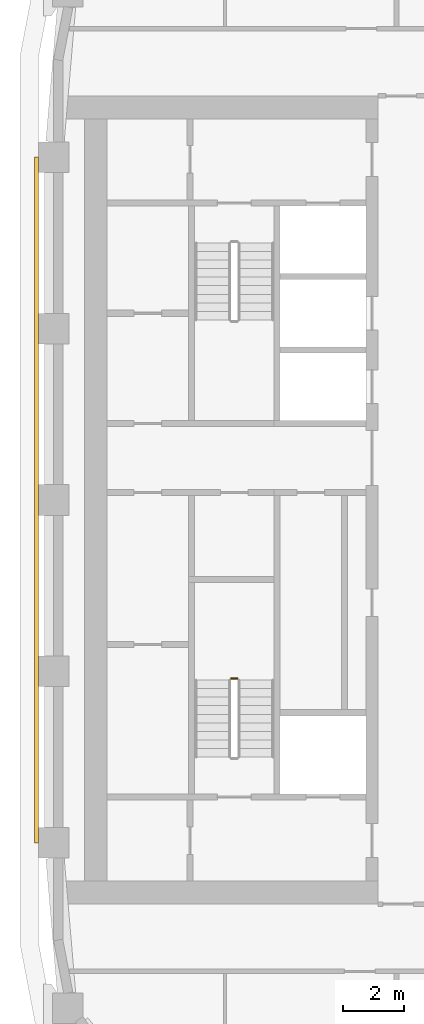
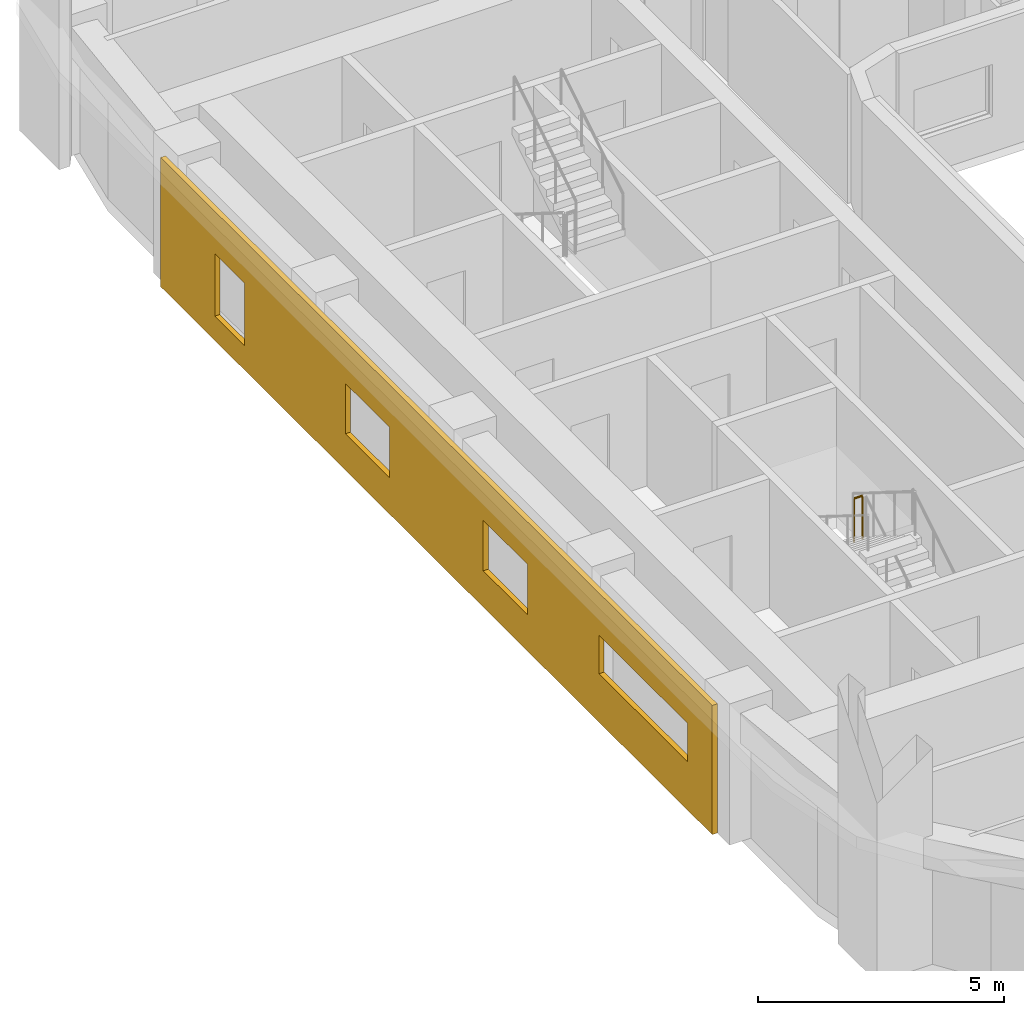
# One storey, part 13 of 22: 1 covering, 1 railing.
"""IFC4 building model written with IfcOpenShell, lengths in metres."""

from ifc_helpers import new_model, si_unit, direction, frame, origin, origin_2d, place, context, subcontext, project, spatial, polyline, circle, outline, extrude, material, layer, layer_set, type_object, element, save


model = new_model("IFC4")

# Units and contexts
model_context = context("Model", 3, precision=1e-05, world=origin(), true_north=direction((0.0, 1.0)))
body_context = subcontext(model_context, "Body", "Model", "MODEL_VIEW")
ifc_project = project(units=[si_unit("LENGTHUNIT", "METRE"), si_unit("AREAUNIT", "SQUARE_METRE"), si_unit("VOLUMEUNIT", "CUBIC_METRE"), si_unit("PLANEANGLEUNIT", "RADIAN"), si_unit("MASSUNIT", "GRAM", prefix="KILO")], contexts=[model_context])

# Site, building, storey
site_placement = place(None, origin())
site = spatial("IfcSite", under=ifc_project, at=site_placement, CompositionType="ELEMENT")
building_placement = place(site_placement, origin())
building = spatial("IfcBuilding", under=site, at=building_placement, Name="Kiln Ring Residences", CompositionType="ELEMENT")
storey_placement = place(building_placement, frame((0.0, 0.0, 160.60009765625)))
storey = spatial("IfcBuildingStorey", under=building, at=storey_placement, Name="L41", CompositionType="ELEMENT", Elevation=160.60009765625)

# Railing
ifc_material_1 = material(Name="Stainless steel", Category="steel")
railing_type = type_object("IfcRailingType", Name="CORE-STAIR-GUARD", PredefinedType="GUARDRAIL", material=ifc_material_1)
railing_placement = place(storey_placement, frame((-22.0, -5.830078125, 1.75)))
element("IfcRailing", 1, at=railing_placement, inside=storey, type_object=railing_type, Name="L41 W-STS stair guard 2", PredefinedType="GUARDRAIL", context=body_context, shape_type="SweptSolid", body=[
    extrude(circle(Radius=0.02392578125, at=origin_2d()), frame((0.0, 0.0, 1.076171875), z_axis=(-1.0, 0.0, 0.0), x_axis=(0.0, -1.0, 0.0)), (0.0, 0.0, 1.0), 0.199951171875),
    extrude(circle(Radius=0.02099609375, at=origin_2d()), origin(), (0.0, 0.0, 1.0), 1.052001953125),
    extrude(circle(Radius=0.02099609375, at=origin_2d()), frame((-0.199951171875, 0.0, 0.0)), (0.0, 0.0, 1.0), 1.052001953125),
])

# Covering
ifc_material_2 = material(Name="Brick masonry, dark clay brick", Category="masonry")
ifc_layer = layer(ifc_material_2, 0.1201171875)
ifc_layer_set = layer_set([ifc_layer], Name="RAINSCREEN PANEL 120")
covering_type = type_object("IfcCoveringType", Name="RAINSCREEN PANEL 120", PredefinedType="CLADDING", material=ifc_layer_set)
covering_placement = place(storey_placement, frame((-28.56005859375, 11.199951171875, 0.0), z_axis=(0.0, 0.0, 1.0), x_axis=(0.0, -1.0, 0.0)))
element("IfcCovering", 2, at=covering_placement, inside=storey, type_object=covering_type, Name="RAINSCREEN L41", PredefinedType="CLADDING", context=body_context, shape_type="SweptSolid", body=[
    extrude(outline(polyline([(0.0, 0.0), (22.39990234375, 0.0), (22.39990234375, 3.199951171875), (0.0, 3.199951171875), (0.0, 0.0)]), holes=[polyline([(3.39990234375, 0.599853515625), (3.39990234375, 2.14990234375), (2.199951171875, 2.14990234375), (2.199951171875, 0.599853515625), (3.39990234375, 0.599853515625)]), polyline([(9.300048828125, 0.89990234375), (9.300048828125, 2.14990234375), (7.5, 2.14990234375), (7.5, 0.89990234375), (9.300048828125, 0.89990234375)]), polyline([(14.89990234375, 0.89990234375), (14.89990234375, 2.14990234375), (13.10009765625, 2.14990234375), (13.10009765625, 0.89990234375), (14.89990234375, 0.89990234375)]), polyline([(21.39990234375, 1.199951171875), (21.39990234375, 2.14990234375), (17.800048828125, 2.14990234375), (17.800048828125, 1.199951171875), (21.39990234375, 1.199951171875)])]), frame((0.0, 0.06005859375, 0.0), z_axis=(0.0, -1.0, 0.0), x_axis=(1.0, 0.0, 0.0)), (0.0, 0.0, 1.0), 0.1201171875),
])

save(model, "model.ifc")
